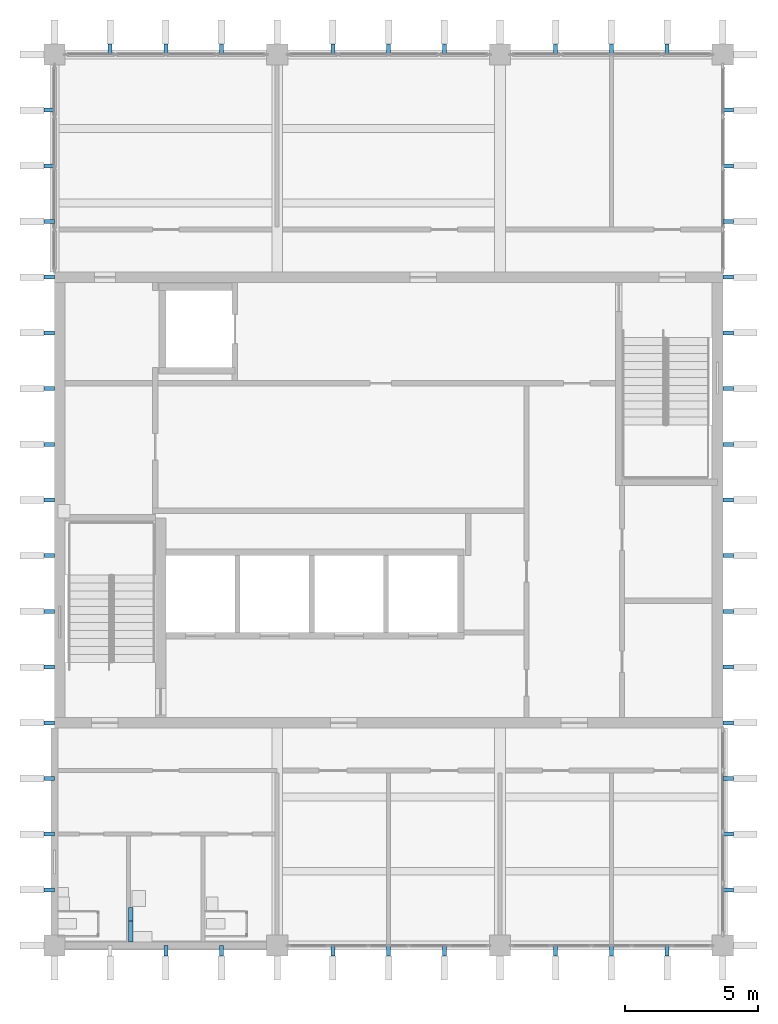
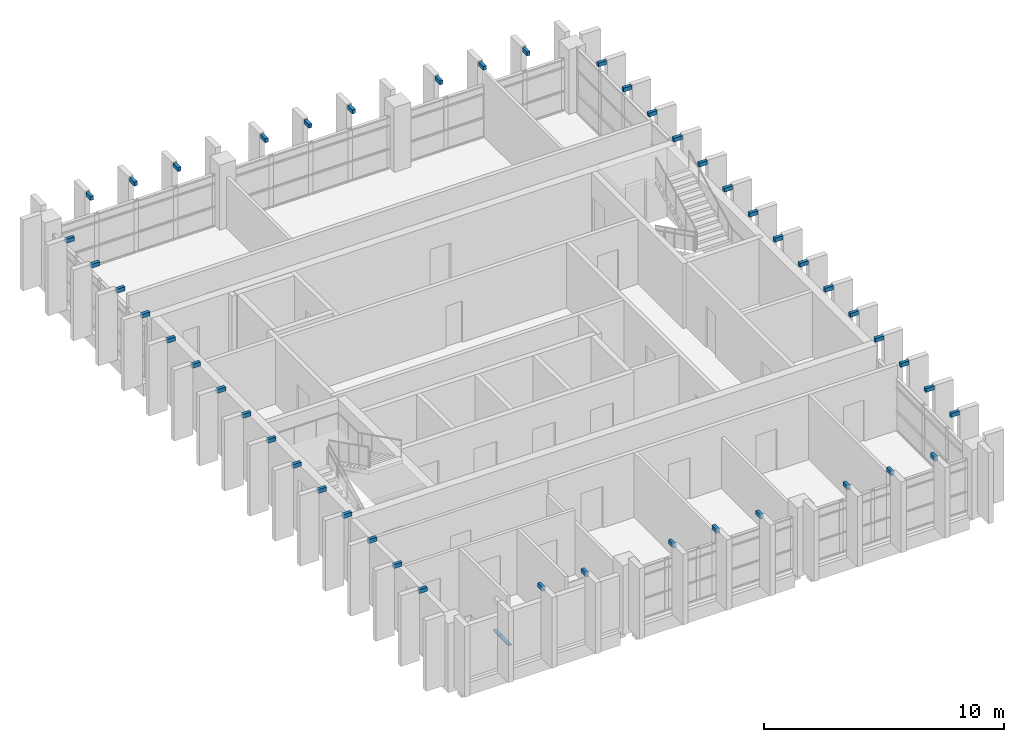
# One storey, part 9 of 11: 49 discrete accessories.
"""IFC4 building model written with IfcOpenShell, lengths in metres."""

from ifc_helpers import new_model, si_unit, direction, frame, origin, origin_2d, place, context, subcontext, project, spatial, rectangle, extrude, material, type_object, element, save


model = new_model("IFC4")

# Units and contexts
model_context = context("Model", 3, precision=1e-05, world=origin(), true_north=direction((0.0, 1.0)))
body_context = subcontext(model_context, "Body", "Model", "MODEL_VIEW")
ifc_project = project(units=[si_unit("LENGTHUNIT", "METRE"), si_unit("AREAUNIT", "SQUARE_METRE"), si_unit("VOLUMEUNIT", "CUBIC_METRE"), si_unit("PLANEANGLEUNIT", "RADIAN"), si_unit("MASSUNIT", "GRAM", prefix="KILO")], contexts=[model_context])

# Site, building, storey
site_placement = place(None, origin())
site = spatial("IfcSite", under=ifc_project, at=site_placement, CompositionType="ELEMENT")
building_placement = place(site_placement, origin())
building = spatial("IfcBuilding", under=site, at=building_placement, Name="Rulbaag Community and Learning Centre", CompositionType="ELEMENT")
storey_placement = place(building_placement, frame((0.0, 0.0, 46.800048828125)))
storey = spatial("IfcBuildingStorey", under=building, at=storey_placement, Name="L12", CompositionType="ELEMENT", Elevation=46.800048828125)

# Discrete accessories
ifc_material_1 = material(Name="Steel E350", Category="steel")
discrete_accessory_type_1 = type_object("IfcDiscreteAccessoryType", Name="BR-FN", PredefinedType="BRACKET", material=ifc_material_1)
for number, where, z_axis, x_axis, name in (
    (1, (147.0, 83.800048828125, 3.35009765625), (0.0, 0.0, 1.0), (1.0, 0.0, 0.0), "Fin arm"),
    (2, (149.10009765625, 83.800048828125, 3.35009765625), (0.0, 0.0, 1.0), (1.0, 0.0, 0.0), "Fin arm"),
    (3, (153.300048828125, 83.800048828125, 3.35009765625), (0.0, 0.0, 1.0), (1.0, 0.0, 0.0), "Fin arm"),
    (4, (155.39990234375, 83.800048828125, 3.35009765625), (0.0, 0.0, 1.0), (1.0, 0.0, 0.0), "Fin arm"),
    (5, (157.5, 83.800048828125, 3.35009765625), (0.0, 0.0, 1.0), (1.0, 0.0, 0.0), "Fin arm"),
    (6, (161.699951171875, 83.800048828125, 3.35009765625), (0.0, 0.0, 1.0), (1.0, 0.0, 0.0), "Fin arm"),
    (7, (163.800048828125, 83.800048828125, 3.35009765625), (0.0, 0.0, 1.0), (1.0, 0.0, 0.0), "Fin arm"),
    (8, (165.89990234375, 83.800048828125, 3.35009765625), (0.0, 0.0, 1.0), (1.0, 0.0, 0.0), "Fin arm"),
    (9, (144.89990234375, 117.800048828125, 3.35009765625), (0.0, 0.0, 1.0), (1.0, 0.0, 0.0), "Fin arm"),
    (10, (147.0, 117.800048828125, 3.35009765625), (0.0, 0.0, 1.0), (1.0, 0.0, 0.0), "Fin arm"),
    (11, (149.10009765625, 117.800048828125, 3.35009765625), (0.0, 0.0, 1.0), (1.0, 0.0, 0.0), "Fin arm"),
    (12, (153.300048828125, 117.800048828125, 3.35009765625), (0.0, 0.0, 1.0), (1.0, 0.0, 0.0), "Fin arm"),
    (13, (155.39990234375, 117.800048828125, 3.35009765625), (0.0, 0.0, 1.0), (1.0, 0.0, 0.0), "Fin arm"),
    (14, (157.5, 117.800048828125, 3.35009765625), (0.0, 0.0, 1.0), (1.0, 0.0, 0.0), "Fin arm"),
    (15, (161.699951171875, 117.800048828125, 3.35009765625), (0.0, 0.0, 1.0), (1.0, 0.0, 0.0), "Fin arm"),
    (16, (163.800048828125, 117.800048828125, 3.35009765625), (0.0, 0.0, 1.0), (1.0, 0.0, 0.0), "Fin arm"),
    (17, (165.89990234375, 117.800048828125, 3.35009765625), (0.0, 0.0, 1.0), (1.0, 0.0, 0.0), "Fin arm"),
):
    element("IfcDiscreteAccessory", number, at=place(storey_placement, frame(where, z_axis=z_axis, x_axis=x_axis)), inside=storey, type_object=discrete_accessory_type_1, Name=name, PredefinedType="BRACKET", context=body_context, shape_type="SweptSolid", body=[
        extrude(rectangle(XDim=0.14990234375, YDim=0.39990234375, at=origin_2d()), origin(), (0.0, 0.0, 1.0), 0.199951171875),
    ])
for number, where, z_axis, x_axis, name in (
    (18, (142.60009765625, 86.10009765625, 3.35009765625), (0.0, 0.0, 1.0), (1.0, 0.0, 0.0), "Fin arm"),
    (19, (142.60009765625, 88.199951171875, 3.35009765625), (0.0, 0.0, 1.0), (1.0, 0.0, 0.0), "Fin arm"),
    (20, (142.60009765625, 90.300048828125, 3.35009765625), (0.0, 0.0, 1.0), (1.0, 0.0, 0.0), "Fin arm"),
    (21, (142.60009765625, 92.39990234375, 3.35009765625), (0.0, 0.0, 1.0), (1.0, 0.0, 0.0), "Fin arm"),
    (22, (142.60009765625, 94.5, 3.35009765625), (0.0, 0.0, 1.0), (1.0, 0.0, 0.0), "Fin arm"),
    (23, (142.60009765625, 96.60009765625, 3.35009765625), (0.0, 0.0, 1.0), (1.0, 0.0, 0.0), "Fin arm"),
    (24, (142.60009765625, 98.699951171875, 3.35009765625), (0.0, 0.0, 1.0), (1.0, 0.0, 0.0), "Fin arm"),
    (25, (142.60009765625, 100.800048828125, 3.35009765625), (0.0, 0.0, 1.0), (1.0, 0.0, 0.0), "Fin arm"),
    (26, (142.60009765625, 102.89990234375, 3.35009765625), (0.0, 0.0, 1.0), (1.0, 0.0, 0.0), "Fin arm"),
    (27, (142.60009765625, 105.0, 3.35009765625), (0.0, 0.0, 1.0), (1.0, 0.0, 0.0), "Fin arm"),
    (28, (142.60009765625, 107.10009765625, 3.35009765625), (0.0, 0.0, 1.0), (1.0, 0.0, 0.0), "Fin arm"),
    (29, (142.60009765625, 109.199951171875, 3.35009765625), (0.0, 0.0, 1.0), (1.0, 0.0, 0.0), "Fin arm"),
    (30, (142.60009765625, 111.300048828125, 3.35009765625), (0.0, 0.0, 1.0), (1.0, 0.0, 0.0), "Fin arm"),
    (31, (142.60009765625, 113.39990234375, 3.35009765625), (0.0, 0.0, 1.0), (1.0, 0.0, 0.0), "Fin arm"),
    (32, (142.60009765625, 115.5, 3.35009765625), (0.0, 0.0, 1.0), (1.0, 0.0, 0.0), "Fin arm"),
    (33, (168.199951171875, 86.10009765625, 3.35009765625), (0.0, 0.0, 1.0), (1.0, 0.0, 0.0), "Fin arm"),
    (34, (168.199951171875, 88.199951171875, 3.35009765625), (0.0, 0.0, 1.0), (1.0, 0.0, 0.0), "Fin arm"),
    (35, (168.199951171875, 90.300048828125, 3.35009765625), (0.0, 0.0, 1.0), (1.0, 0.0, 0.0), "Fin arm"),
    (36, (168.199951171875, 92.39990234375, 3.35009765625), (0.0, 0.0, 1.0), (1.0, 0.0, 0.0), "Fin arm"),
    (37, (168.199951171875, 94.5, 3.35009765625), (0.0, 0.0, 1.0), (1.0, 0.0, 0.0), "Fin arm"),
    (38, (168.199951171875, 96.60009765625, 3.35009765625), (0.0, 0.0, 1.0), (1.0, 0.0, 0.0), "Fin arm"),
    (39, (168.199951171875, 98.699951171875, 3.35009765625), (0.0, 0.0, 1.0), (1.0, 0.0, 0.0), "Fin arm"),
    (40, (168.199951171875, 100.800048828125, 3.35009765625), (0.0, 0.0, 1.0), (1.0, 0.0, 0.0), "Fin arm"),
    (41, (168.199951171875, 102.89990234375, 3.35009765625), (0.0, 0.0, 1.0), (1.0, 0.0, 0.0), "Fin arm"),
    (42, (168.199951171875, 105.0, 3.35009765625), (0.0, 0.0, 1.0), (1.0, 0.0, 0.0), "Fin arm"),
    (43, (168.199951171875, 107.10009765625, 3.35009765625), (0.0, 0.0, 1.0), (1.0, 0.0, 0.0), "Fin arm"),
    (44, (168.199951171875, 109.199951171875, 3.35009765625), (0.0, 0.0, 1.0), (1.0, 0.0, 0.0), "Fin arm"),
    (45, (168.199951171875, 111.300048828125, 3.35009765625), (0.0, 0.0, 1.0), (1.0, 0.0, 0.0), "Fin arm"),
    (46, (168.199951171875, 113.39990234375, 3.35009765625), (0.0, 0.0, 1.0), (1.0, 0.0, 0.0), "Fin arm"),
    (47, (168.199951171875, 115.5, 3.35009765625), (0.0, 0.0, 1.0), (1.0, 0.0, 0.0), "Fin arm"),
):
    element("IfcDiscreteAccessory", number, at=place(storey_placement, frame(where, z_axis=z_axis, x_axis=x_axis)), inside=storey, type_object=discrete_accessory_type_1, Name=name, PredefinedType="BRACKET", context=body_context, shape_type="SweptSolid", body=[
        extrude(rectangle(XDim=0.39990234375, YDim=0.14990234375, at=origin_2d()), origin(), (0.0, 0.0, 1.0), 0.199951171875),
    ])
ifc_material_2 = material(Name="Stainless steel grade 316", Category="steel")
discrete_accessory_type_2 = type_object("IfcDiscreteAccessoryType", Name="GR-800", PredefinedType="USERDEFINED", material=ifc_material_2)
for number, where, z_axis, x_axis, name in (
    (48, (145.68505859375, 84.530029296875, 0.72998046875), (0.0, 0.0, 1.0), (1.0, 0.0, 0.0), "Grab rail"),
    (49, (145.68505859375, 85.030029296875, 0.72998046875), (0.0, 0.0, 1.0), (1.0, 0.0, 0.0), "Grab rail"),
):
    element("IfcDiscreteAccessory", number, at=place(storey_placement, frame(where, z_axis=z_axis, x_axis=x_axis)), inside=storey, type_object=discrete_accessory_type_2, Name=name, ObjectType="GRAB RAIL", PredefinedType="USERDEFINED", context=body_context, shape_type="SweptSolid", body=[
        extrude(rectangle(XDim=0.169921875, YDim=0.800048828125, at=origin_2d()), origin(), (0.0, 0.0, 1.0), 0.0400390625),
    ])

save(model, "model.ifc")
